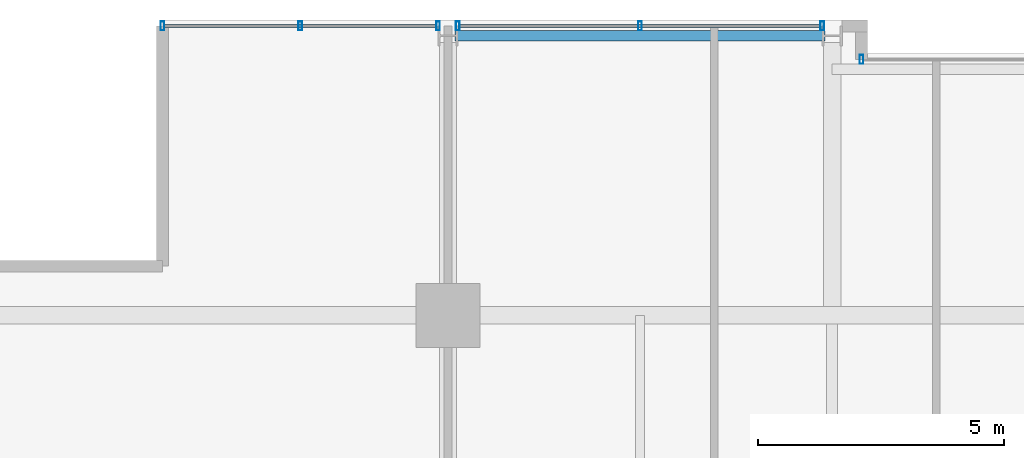
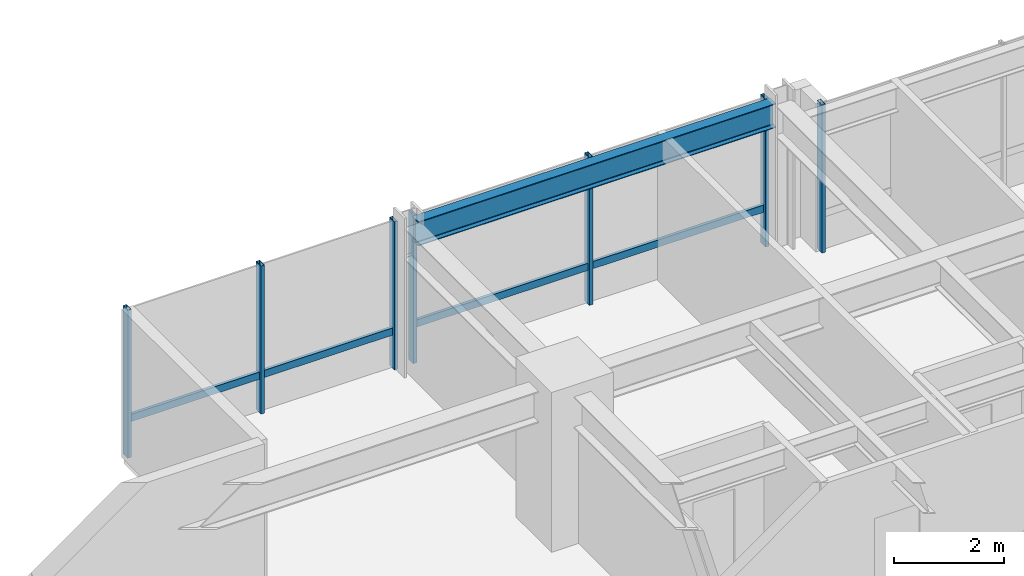
# One storey, part 20 of 32: 9 members, 1 beam, 3 elements without a shape of their own.
"""IFC4 building model written with IfcOpenShell, lengths in metres."""

from ifc_helpers import new_model, si_unit, direction, frame, origin, origin_2d, place, context, subcontext, project, spatial, hollow_rectangle, i_section, extrude, material, layer, layer_set, material_profile, profile_set, type_object, element, aggregate, save


model = new_model("IFC4")

# Units and contexts
model_context = context("Model", 3, precision=1e-05, world=origin(), true_north=direction((0.0, 1.0)))
body_context = subcontext(model_context, "Body", "Model", "MODEL_VIEW")
ifc_project = project(units=[si_unit("LENGTHUNIT", "METRE"), si_unit("AREAUNIT", "SQUARE_METRE"), si_unit("VOLUMEUNIT", "CUBIC_METRE"), si_unit("PLANEANGLEUNIT", "RADIAN"), si_unit("MASSUNIT", "GRAM", prefix="KILO")], contexts=[model_context])

# Site, building, storey
site_placement = place(None, origin())
site = spatial("IfcSite", under=ifc_project, at=site_placement, CompositionType="ELEMENT")
building_placement = place(site_placement, origin())
building = spatial("IfcBuilding", under=site, at=building_placement, Name="Drelvath Grand Hotel", CompositionType="ELEMENT")
storey_placement = place(building_placement, frame((0.0, 0.0, 150.39990234375)))
storey = spatial("IfcBuildingStorey", under=building, at=storey_placement, Name="L38", CompositionType="ELEMENT", Elevation=150.39990234375)

# Curtain wall, member
ifc_material_1 = material(Name="Brushed Pale-Silver Anodised Aluminium Frame", Category="aluminium")
ifc_layer = layer(ifc_material_1, 0.199951171875)
ifc_layer_set = layer_set([ifc_layer], Name="Brushed Pale-Silver Anodised Aluminium Frame")
curtain_wall_type = type_object("IfcCurtainWallType", Name="Stick Curtain Wall CW-04 Brushed Silver Upper-Mid", PredefinedType="NOTDEFINED", material=ifc_layer_set)
curtain_wall_1_placement = place(storey_placement, origin())
curtain_wall_1 = element("IfcCurtainWall", 1, at=curtain_wall_1_placement, inside=storey, type_object=curtain_wall_type, Name="L38 CW-04 Curtain Wall CW04-L38-NW1", PredefinedType="NOTDEFINED")
ifc_material_profile_1 = material_profile(ifc_material_1, hollow_rectangle(XDim=0.06494140625, YDim=0.159912109375, WallThickness=0.00390625, at=origin_2d()), Name="HSS160X65X4")
ifc_profile_set_1 = profile_set([ifc_material_profile_1], Name="Brushed Pale-Silver Anodised Aluminium Frame")
member_type_1 = type_object("IfcMemberType", Name="Curtain Wall Horizontal Transom CW-04 HSS160X65X4", PredefinedType="USERDEFINED", material=ifc_profile_set_1)
member_1_placement = place(storey_placement, frame((-21.9599609375, 49.080078125, 0.822509765625), z_axis=(1.0, 0.0, 0.0), x_axis=(0.0, 1.0, 0.0)))
member_1 = element("IfcMember", 2, at=member_1_placement, type_object=member_type_1, Name="CW04-L38-NW1 Sill Transom", ObjectType="TRANSOM", PredefinedType="USERDEFINED", context=body_context, shape_type="SweptSolid", body=[
    extrude(hollow_rectangle(XDim=0.06494140625, YDim=0.159912109375, WallThickness=0.00390625, at=origin_2d()), origin(), (0.0, 0.0, 1.0), 5.519775390625),
])

curtain_wall_2_placement = place(storey_placement, origin())
curtain_wall_2 = element("IfcCurtainWall", 3, at=curtain_wall_2_placement, inside=storey, type_object=curtain_wall_type, Name="L38 CW-04 Curtain Wall CW04-L38-NW2", PredefinedType="NOTDEFINED")
member_2_placement = place(storey_placement, frame((-15.9599609375, 49.080078125, 0.822509765625), z_axis=(1.0, 0.0, 0.0), x_axis=(0.0, 1.0, 0.0)))
member_2 = element("IfcMember", 4, at=member_2_placement, type_object=member_type_1, Name="CW04-L38-NW2 Sill Transom", ObjectType="TRANSOM", PredefinedType="USERDEFINED", context=body_context, shape_type="SweptSolid", body=[
    extrude(hollow_rectangle(XDim=0.06494140625, YDim=0.159912109375, WallThickness=0.00390625, at=origin_2d()), origin(), (0.0, 0.0, 1.0), 7.31982421875),
])

# Member
ifc_material_profile_2 = material_profile(ifc_material_1, hollow_rectangle(XDim=0.074951171875, YDim=0.179931640625, WallThickness=0.0048828125, at=origin_2d()), Name="HSS180X75X5")
ifc_profile_set_2 = profile_set([ifc_material_profile_2], Name="Brushed Pale-Silver Anodised Aluminium Frame")
member_type_2 = type_object("IfcMemberType", Name="Curtain Wall Vertical Mullion CW-04 HSS180X75X5", PredefinedType="MULLION", material=ifc_profile_set_2)
member_3_placement = place(storey_placement, frame((-22.0, 49.080078125, 0.0), z_axis=(0.0, 0.0, 1.0), x_axis=(1.0, 0.0, 0.0)))
member_3 = element("IfcMember", 5, at=member_3_placement, type_object=member_type_2, Name="CW04-L38-NW1 Mullion 1", PredefinedType="MULLION", context=body_context, shape_type="SweptSolid", body=[
    extrude(hollow_rectangle(XDim=0.074951171875, YDim=0.179931640625, WallThickness=0.0048828125, at=origin_2d()), origin(), (0.0, 0.0, 1.0), 3.2900390625),
])

member_4_placement = place(storey_placement, frame((-19.199951171875, 49.080078125, 0.0), z_axis=(0.0, 0.0, 1.0), x_axis=(1.0, 0.0, 0.0)))
member_4 = element("IfcMember", 6, at=member_4_placement, type_object=member_type_2, Name="CW04-L38-NW1 Mullion 2", PredefinedType="MULLION", context=body_context, shape_type="SweptSolid", body=[
    extrude(hollow_rectangle(XDim=0.074951171875, YDim=0.179931640625, WallThickness=0.0048828125, at=origin_2d()), origin(), (0.0, 0.0, 1.0), 3.2900390625),
])

member_5_placement = place(storey_placement, frame((-16.400146484375, 49.080078125, 0.0), z_axis=(0.0, 0.0, 1.0), x_axis=(1.0, 0.0, 0.0)))
member_5 = element("IfcMember", 7, at=member_5_placement, type_object=member_type_2, Name="CW04-L38-NW1 Mullion 3", PredefinedType="MULLION", context=body_context, shape_type="SweptSolid", body=[
    extrude(hollow_rectangle(XDim=0.074951171875, YDim=0.179931640625, WallThickness=0.0048828125, at=origin_2d()), origin(), (0.0, 0.0, 1.0), 3.2900390625),
])

aggregate(curtain_wall_1, [member_3, member_4, member_5, member_1])

member_6_placement = place(storey_placement, frame((-16.0, 49.080078125, 0.0), z_axis=(0.0, 0.0, 1.0), x_axis=(1.0, 0.0, 0.0)))
member_6 = element("IfcMember", 8, at=member_6_placement, type_object=member_type_2, Name="CW04-L38-NW2 Mullion 1", PredefinedType="MULLION", context=body_context, shape_type="SweptSolid", body=[
    extrude(hollow_rectangle(XDim=0.074951171875, YDim=0.179931640625, WallThickness=0.0048828125, at=origin_2d()), origin(), (0.0, 0.0, 1.0), 3.2900390625),
])

member_7_placement = place(storey_placement, frame((-12.300048828125, 49.080078125, 0.0), z_axis=(0.0, 0.0, 1.0), x_axis=(1.0, 0.0, 0.0)))
member_7 = element("IfcMember", 9, at=member_7_placement, type_object=member_type_2, Name="CW04-L38-NW2 Mullion 2", PredefinedType="MULLION", context=body_context, shape_type="SweptSolid", body=[
    extrude(hollow_rectangle(XDim=0.074951171875, YDim=0.179931640625, WallThickness=0.0048828125, at=origin_2d()), origin(), (0.0, 0.0, 1.0), 3.2900390625),
])

member_8_placement = place(storey_placement, frame((-8.60009765625, 49.080078125, 0.0), z_axis=(0.0, 0.0, 1.0), x_axis=(1.0, 0.0, 0.0)))
member_8 = element("IfcMember", 10, at=member_8_placement, type_object=member_type_2, Name="CW04-L38-NW2 Mullion 3", PredefinedType="MULLION", context=body_context, shape_type="SweptSolid", body=[
    extrude(hollow_rectangle(XDim=0.074951171875, YDim=0.179931640625, WallThickness=0.0048828125, at=origin_2d()), origin(), (0.0, 0.0, 1.0), 3.2900390625),
])

aggregate(curtain_wall_2, [member_6, member_7, member_8, member_2])

# Curtain wall, member
curtain_wall_3_placement = place(storey_placement, origin())
curtain_wall_3 = element("IfcCurtainWall", 11, at=curtain_wall_3_placement, inside=storey, type_object=curtain_wall_type, Name="L38 CW-04 Curtain Wall CW04-L38-NM1", PredefinedType="NOTDEFINED")
member_9_placement = place(storey_placement, frame((-7.800048828125, 48.39990234375, 0.0), z_axis=(0.0, 0.0, 1.0), x_axis=(1.0, 0.0, 0.0)))
member_9 = element("IfcMember", 12, at=member_9_placement, type_object=member_type_2, Name="CW04-L38-NM1 Mullion 1", PredefinedType="MULLION", context=body_context, shape_type="SweptSolid", body=[
    extrude(hollow_rectangle(XDim=0.074951171875, YDim=0.179931640625, WallThickness=0.0048828125, at=origin_2d()), origin(), (0.0, 0.0, 1.0), 3.2900390625),
])
aggregate(curtain_wall_3, [member_9])

# Beam
ifc_material_2 = material(Name="Steel ASTM A992 Gr 50", Category="steel")
ifc_material_profile_3 = material_profile(ifc_material_2, i_section(OverallWidth=0.210205078125, OverallDepth=0.53662109375, WebThickness=0.010986328125, FlangeThickness=0.017333984375, FilletRadius=0.01806640625, at=origin_2d()), Name="W21X68")
ifc_profile_set_3 = profile_set([ifc_material_profile_3], Name="Steel ASTM A992 Gr 50")
beam_type = type_object("IfcBeamType", Name="Perimeter Spandrel Beam W21X68", PredefinedType="SPANDREL", material=ifc_profile_set_3)
beam_placement = place(storey_placement, frame((-16.06005859375, 48.8798828125, 3.021728515625), z_axis=(1.0, 0.0, 0.0), x_axis=(0.0, 1.0, 0.0)))
element("IfcBeam", 13, at=beam_placement, inside=storey, type_object=beam_type, Name="L38 Spandrel North W", PredefinedType="SPANDREL", context=body_context, shape_type="SweptSolid", body=[
    extrude(i_section(OverallWidth=0.210205078125, OverallDepth=0.53662109375, WebThickness=0.010986328125, FlangeThickness=0.017333984375, FilletRadius=0.01806640625, at=origin_2d()), origin(), (0.0, 0.0, 1.0), 7.52001953125),
])

save(model, "model.ifc")
